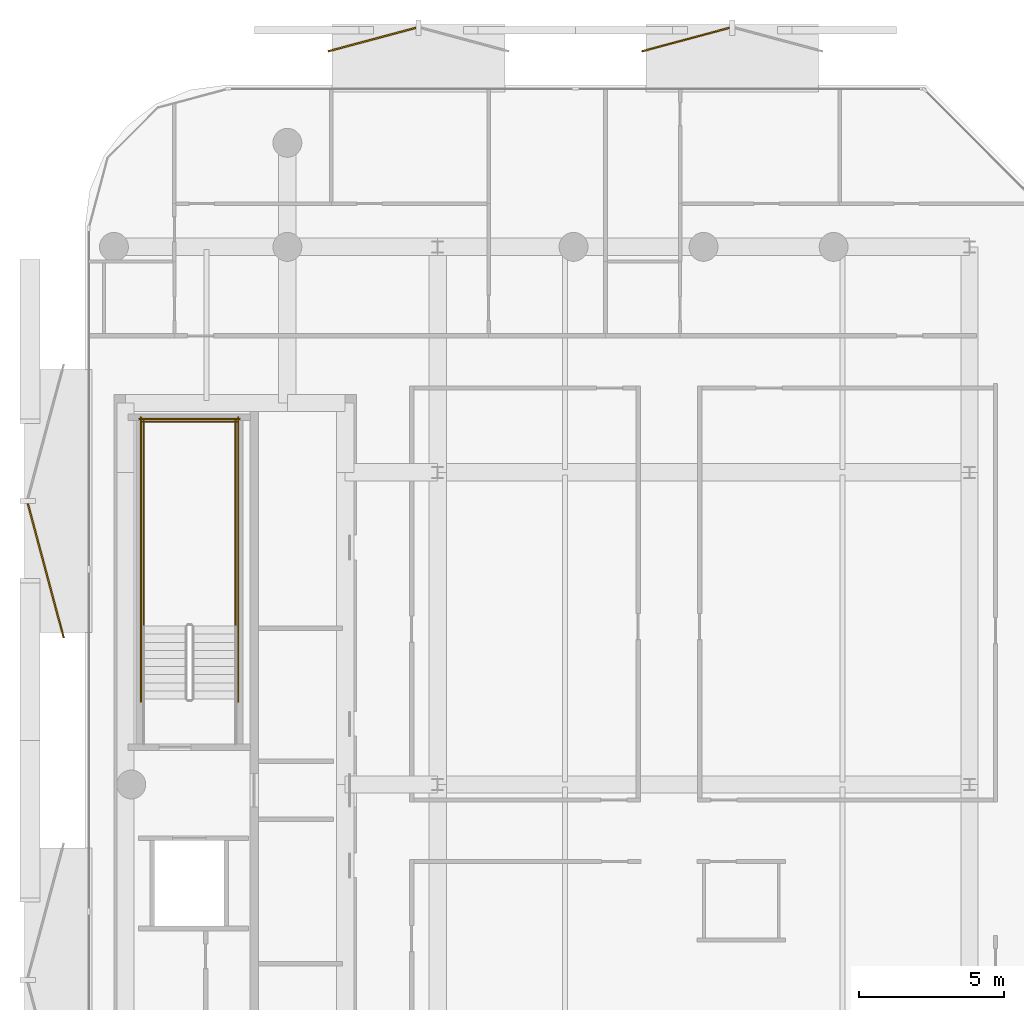
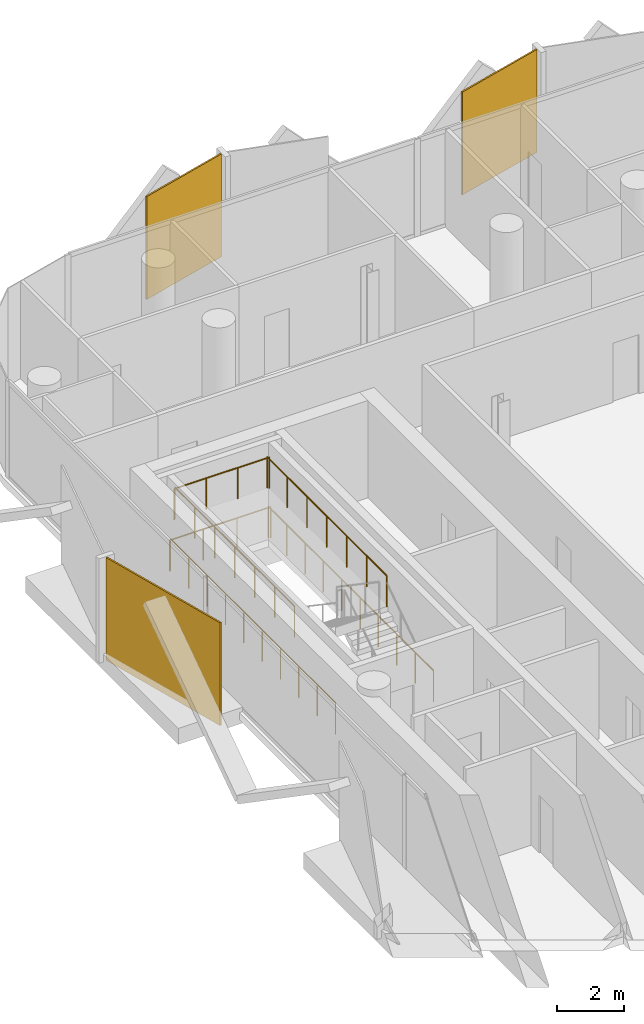
# One storey, part 16 of 16: 6 railings, 3 coverings.
"""IFC4 building model written with IfcOpenShell, lengths in metres."""

from ifc_helpers import new_model, si_unit, direction, frame, origin, origin_2d, place, context, subcontext, project, spatial, rectangle, circle, extrude, material, layer, layer_set, type_object, element, save


model = new_model("IFC4")

# Units and contexts
model_context = context("Model", 3, precision=1e-05, world=origin(), true_north=direction((0.0, 1.0)))
body_context = subcontext(model_context, "Body", "Model", "MODEL_VIEW")
ifc_project = project(units=[si_unit("LENGTHUNIT", "METRE"), si_unit("AREAUNIT", "SQUARE_METRE"), si_unit("VOLUMEUNIT", "CUBIC_METRE"), si_unit("PLANEANGLEUNIT", "RADIAN"), si_unit("MASSUNIT", "GRAM", prefix="KILO")], contexts=[model_context])

# Site, building, storey
site_placement = place(None, origin())
site = spatial("IfcSite", under=ifc_project, at=site_placement, CompositionType="ELEMENT")
building_placement = place(site_placement, origin())
building = spatial("IfcBuilding", under=site, at=building_placement, Name="Khairoan Windgate Tower", CompositionType="ELEMENT")
storey_placement = place(building_placement, frame((0.0, 0.0, 300.39990234375)))
storey = spatial("IfcBuildingStorey", under=building, at=storey_placement, Name="L72", CompositionType="ELEMENT", Elevation=300.39990234375)

# Coverings
ifc_material_1 = material(Name="Anodised Bronze Aluminium 6063-T6", Category="aluminium")
ifc_layer = layer(ifc_material_1, 0.054931640625, Name="Anodised Bronze Aluminium 6063-T6")
ifc_layer_set = layer_set([ifc_layer], Name="Anodised Bronze Aluminium 6063-T6")
covering_type = type_object("IfcCoveringType", Name="Perforated Bronze-Ceramic Folded Solar Screen Cladding BSC-1", PredefinedType="CLADDING", material=ifc_layer_set)
covering_placement = place(storey_placement, frame((-22.75830078125, 7.3974609375, -0.10009765625), z_axis=(0.0, 0.0, 1.0), x_axis=(-0.258819045103, 0.965925826289, 0.0)))
element("IfcCovering", 1, at=covering_placement, inside=storey, type_object=covering_type, Name="L72 Folded Bronze Solar Screen Facet 505L", PredefinedType="CLADDING", context=body_context, shape_type="SweptSolid", body=[
    extrude(rectangle(XDim=4.803955078125, YDim=0.054931640625, at=origin_2d()), origin(), (0.0, 0.0, 1.0), 3.739990234375),
])
for number, where, z_axis, x_axis, name in (
    (2, (-11.472900390625, 25.772705078125, -0.10009765625), (0.0, 0.0, 1.0), (0.965925826289, 0.258819045103, 0.0), "L72 Folded Bronze Solar Screen Facet 506L"),
    (3, (-0.61669921875, 25.772705078125, -0.10009765625), (0.0, 0.0, 1.0), (0.965925826289, 0.258819045103, 0.0), "L72 Folded Bronze Solar Screen Facet 507L"),
):
    element("IfcCovering", number, at=place(storey_placement, frame(where, z_axis=z_axis, x_axis=x_axis)), inside=storey, type_object=covering_type, Name=name, PredefinedType="CLADDING", context=body_context, shape_type="SweptSolid", body=[
        extrude(rectangle(XDim=3.14794921875, YDim=0.054931640625, at=origin_2d()), origin(), (0.0, 0.0, 1.0), 3.739990234375),
    ])

# Railings
ifc_material_2 = material(Name="Steel S355", Category="steel")
railing_type = type_object("IfcRailingType", Name="Stairwell Safety Guardrail SGR-1150", PredefinedType="GUARDRAIL", material=ifc_material_2)
for number, where, name in (
    (4, (-16.199951171875, 5.47998046875, 1.900146484375), "L72 ST2 stair guard 3"),
    (5, (-19.3701171875, 5.47998046875, 1.900146484375), "L72 ST2 stair guard 4"),
):
    element("IfcRailing", number, at=place(storey_placement, frame(where)), inside=storey, type_object=railing_type, Name=name, PredefinedType="GUARDRAIL", context=body_context, shape_type="SweptSolid", body=[
        extrude(circle(Radius=0.02392578125, at=origin_2d()), frame((0.0, 0.0, 1.1259765625), z_axis=(0.0, 1.0, 0.0), x_axis=(-1.0, 0.0, 0.0)), (0.0, 0.0, 1.0), 7.1201171875),
        extrude(circle(Radius=0.02099609375, at=origin_2d()), origin(), (0.0, 0.0, 1.0), 1.101806640625),
        extrude(circle(Radius=0.02099609375, at=origin_2d()), frame((0.0, 1.186767578125, 0.0)), (0.0, 0.0, 1.0), 1.101806640625),
        extrude(circle(Radius=0.02099609375, at=origin_2d()), frame((0.0, 2.373291015625, 0.0)), (0.0, 0.0, 1.0), 1.101806640625),
        extrude(circle(Radius=0.02099609375, at=origin_2d()), frame((0.0, 3.56005859375, 0.0)), (0.0, 0.0, 1.0), 1.101806640625),
        extrude(circle(Radius=0.02099609375, at=origin_2d()), frame((0.0, 4.746826171875, 0.0)), (0.0, 0.0, 1.0), 1.101806640625),
        extrude(circle(Radius=0.02099609375, at=origin_2d()), frame((0.0, 5.933349609375, 0.0)), (0.0, 0.0, 1.0), 1.101806640625),
        extrude(circle(Radius=0.02099609375, at=origin_2d()), frame((0.0, 7.1201171875, 0.0)), (0.0, 0.0, 1.0), 1.101806640625),
    ])
railing_1_placement = place(storey_placement, frame((-16.14990234375, 12.550048828125, 1.900146484375)))
element("IfcRailing", 6, at=railing_1_placement, inside=storey, type_object=railing_type, Name="L72 ST2 stair guard 5", PredefinedType="GUARDRAIL", context=body_context, shape_type="SweptSolid", body=[
    extrude(circle(Radius=0.02392578125, at=origin_2d()), frame((0.0, 0.0, 1.1259765625), z_axis=(-1.0, 0.0, 0.0), x_axis=(0.0, -1.0, 0.0)), (0.0, 0.0, 1.0), 3.27001953125),
    extrude(circle(Radius=0.02099609375, at=origin_2d()), origin(), (0.0, 0.0, 1.0), 1.101806640625),
    extrude(circle(Radius=0.02099609375, at=origin_2d()), frame((-1.090087890625, 0.0, 0.0)), (0.0, 0.0, 1.0), 1.101806640625),
    extrude(circle(Radius=0.02099609375, at=origin_2d()), frame((-2.179931640625, 0.0, 0.0)), (0.0, 0.0, 1.0), 1.101806640625),
    extrude(circle(Radius=0.02099609375, at=origin_2d()), frame((-3.27001953125, 0.0, 0.0)), (0.0, 0.0, 1.0), 1.101806640625),
])
for number, where, name in (
    (7, (-16.10009765625, 2.860107421875, 0.0), "L72 ST2 stair guard 10"),
    (8, (-19.469970703125, 2.860107421875, 0.0), "L72 ST2 stair guard 11"),
):
    element("IfcRailing", number, at=place(storey_placement, frame(where)), inside=storey, type_object=railing_type, Name=name, PredefinedType="GUARDRAIL", context=body_context, shape_type="SweptSolid", body=[
        extrude(circle(Radius=0.02392578125, at=origin_2d()), frame((0.0, 0.0, 1.1259765625), z_axis=(0.0, 1.0, 0.0), x_axis=(-1.0, 0.0, 0.0)), (0.0, 0.0, 1.0), 9.83984375),
        extrude(circle(Radius=0.02099609375, at=origin_2d()), origin(), (0.0, 0.0, 1.0), 1.101806640625),
        extrude(circle(Radius=0.02099609375, at=origin_2d()), frame((0.0, 1.09326171875, 0.0)), (0.0, 0.0, 1.0), 1.101806640625),
        extrude(circle(Radius=0.02099609375, at=origin_2d()), frame((0.0, 2.1865234375, 0.0)), (0.0, 0.0, 1.0), 1.101806640625),
        extrude(circle(Radius=0.02099609375, at=origin_2d()), frame((0.0, 3.280029296875, 0.0)), (0.0, 0.0, 1.0), 1.101806640625),
        extrude(circle(Radius=0.02099609375, at=origin_2d()), frame((0.0, 4.373291015625, 0.0)), (0.0, 0.0, 1.0), 1.101806640625),
        extrude(circle(Radius=0.02099609375, at=origin_2d()), frame((0.0, 5.466552734375, 0.0)), (0.0, 0.0, 1.0), 1.101806640625),
        extrude(circle(Radius=0.02099609375, at=origin_2d()), frame((0.0, 6.559814453125, 0.0)), (0.0, 0.0, 1.0), 1.101806640625),
        extrude(circle(Radius=0.02099609375, at=origin_2d()), frame((0.0, 7.6533203125, 0.0)), (0.0, 0.0, 1.0), 1.101806640625),
        extrude(circle(Radius=0.02099609375, at=origin_2d()), frame((0.0, 8.74658203125, 0.0)), (0.0, 0.0, 1.0), 1.101806640625),
        extrude(circle(Radius=0.02099609375, at=origin_2d()), frame((0.0, 9.83984375, 0.0)), (0.0, 0.0, 1.0), 1.101806640625),
    ])
railing_2_placement = place(storey_placement, frame((-16.050048828125, 12.64990234375, 0.0)))
element("IfcRailing", 9, at=railing_2_placement, inside=storey, type_object=railing_type, Name="L72 ST2 stair guard 12", PredefinedType="GUARDRAIL", context=body_context, shape_type="SweptSolid", body=[
    extrude(circle(Radius=0.02392578125, at=origin_2d()), frame((0.0, 0.0, 1.1259765625), z_axis=(-1.0, 0.0, 0.0), x_axis=(0.0, -1.0, 0.0)), (0.0, 0.0, 1.0), 3.469970703125),
    extrude(circle(Radius=0.02099609375, at=origin_2d()), origin(), (0.0, 0.0, 1.0), 1.101806640625),
    extrude(circle(Radius=0.02099609375, at=origin_2d()), frame((-1.15673828125, 0.0, 0.0)), (0.0, 0.0, 1.0), 1.101806640625),
    extrude(circle(Radius=0.02099609375, at=origin_2d()), frame((-2.313232421875, 0.0, 0.0)), (0.0, 0.0, 1.0), 1.101806640625),
    extrude(circle(Radius=0.02099609375, at=origin_2d()), frame((-3.469970703125, 0.0, 0.0)), (0.0, 0.0, 1.0), 1.101806640625),
])

save(model, "model.ifc")
